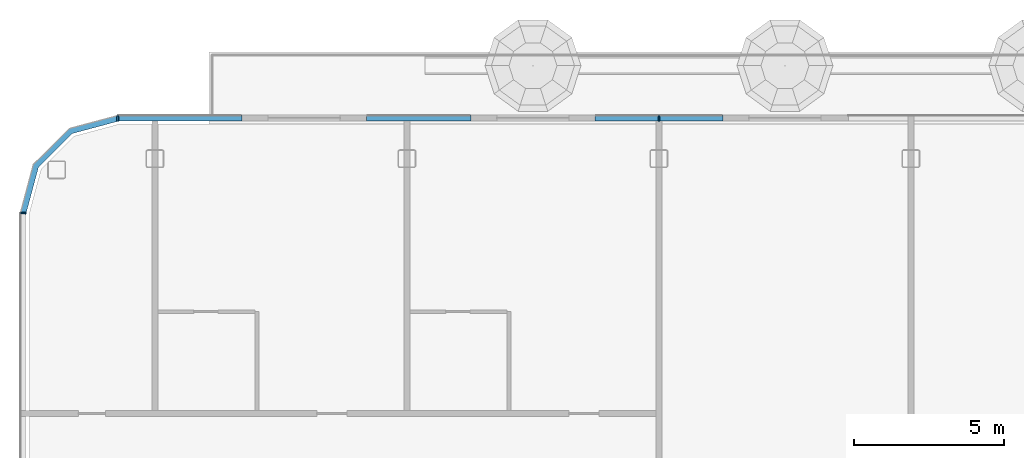
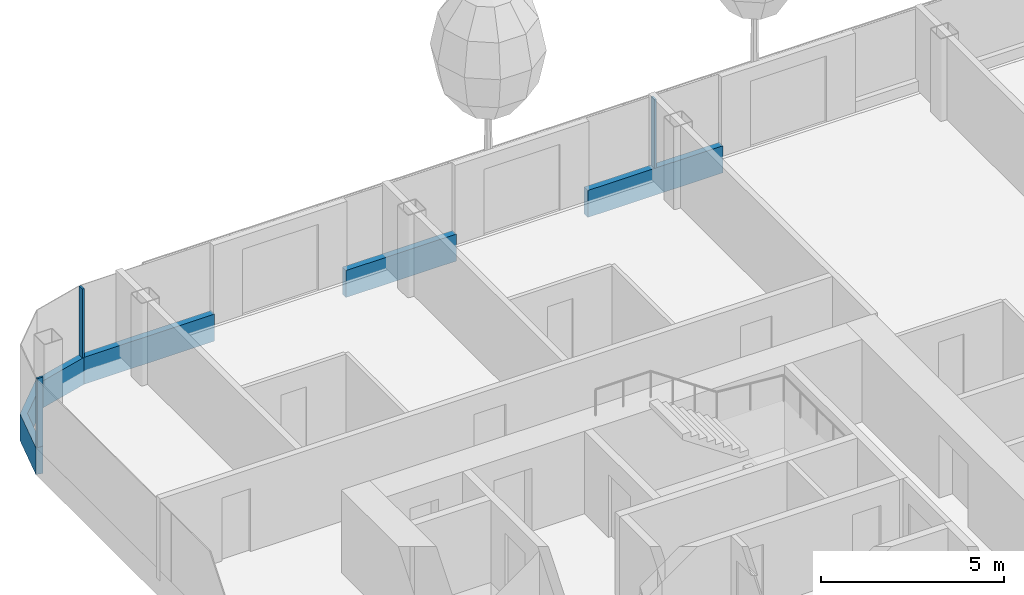
# One storey, part 5 of 28: 7 members, 3 elements without a shape of their own.
"""IFC4 building model written with IfcOpenShell, lengths in metres."""

from ifc_helpers import new_model, si_unit, direction, frame, origin, origin_2d, place, context, subcontext, project, spatial, polyline, rectangle, outline, extrude, material, layer, layer_set, material_profile, profile_set, type_object, element, aggregate, save


model = new_model("IFC4")

# Units and contexts
model_context = context("Model", 3, precision=1e-05, world=origin(), true_north=direction((0.0, 1.0)))
body_context = subcontext(model_context, "Body", "Model", "MODEL_VIEW")
ifc_project = project(units=[si_unit("LENGTHUNIT", "METRE"), si_unit("AREAUNIT", "SQUARE_METRE"), si_unit("VOLUMEUNIT", "CUBIC_METRE"), si_unit("PLANEANGLEUNIT", "RADIAN"), si_unit("MASSUNIT", "GRAM", prefix="KILO")], contexts=[model_context])

# Site, building, storey
site_placement = place(None, origin())
site = spatial("IfcSite", under=ifc_project, at=site_placement, CompositionType="ELEMENT")
building_placement = place(site_placement, origin())
building = spatial("IfcBuilding", under=site, at=building_placement, Name="Hakoniwa Tower and Hamabe Station Hall", CompositionType="ELEMENT")
storey_placement = place(building_placement, frame((0.0, 0.0, 218.60009765625)))
storey = spatial("IfcBuildingStorey", under=building, at=storey_placement, Name="L62", CompositionType="ELEMENT", Elevation=218.60009765625)

# Curtain wall, members
ifc_material_1 = material(Name="Dark low-e laminated glass", Category="glass")
ifc_layer = layer(ifc_material_1, 0.199951171875)
ifc_layer_set = layer_set([ifc_layer], Name="CW-1 UNITISED GUEST")
curtain_wall_type = type_object("IfcCurtainWallType", Name="CW-1 UNITISED GUEST", PredefinedType="NOTDEFINED", material=ifc_layer_set)
curtain_wall_1_placement = place(storey_placement, origin())
curtain_wall_1 = element("IfcCurtainWall", 1, at=curtain_wall_1_placement, inside=storey, type_object=curtain_wall_type, Name="CW-1 curtain wall", PredefinedType="NOTDEFINED")
ifc_material_2 = material(Name="Aluminium 6063-T5 black anodised", Category="aluminium")
ifc_material_profile_1 = material_profile(ifc_material_2, rectangle(XDim=0.199951171875, YDim=0.89990234375, at=origin_2d()), Name="CW SLAB-EDGE BAND 900X200")
ifc_profile_set_1 = profile_set([ifc_material_profile_1], Name="Aluminium 6063-T5 black anodised")
member_type_1 = type_object("IfcMemberType", Name="CW SLAB-EDGE BAND 900X200", PredefinedType="USERDEFINED", material=ifc_profile_set_1)
member_1_placement = place(storey_placement, frame((-14.669921875, 20.449951171875, -0.10009765625), z_axis=(-1.0, 0.0, 0.0), x_axis=(0.0, -1.0, 0.0)))
member_1 = element("IfcMember", 2, at=member_1_placement, type_object=member_type_1, Name="CW-1 transom", ObjectType="TRANSOM", PredefinedType="USERDEFINED", context=body_context, shape_type="SweptSolid", body=[
    extrude(rectangle(XDim=0.199951171875, YDim=0.89990234375, at=origin_2d()), origin(), (0.0, 0.0, 1.0), 4.260009765625),
])
member_2_placement = place(storey_placement, frame((-23.070068359375, 20.449951171875, -0.10009765625), z_axis=(-1.0, 0.0, 0.0), x_axis=(0.0, -1.0, 0.0)))
member_2 = element("IfcMember", 3, at=member_2_placement, type_object=member_type_1, Name="CW-1 transom", ObjectType="TRANSOM", PredefinedType="USERDEFINED", context=body_context, shape_type="SweptSolid", body=[
    extrude(rectangle(XDim=0.199951171875, YDim=0.89990234375, at=origin_2d()), origin(), (0.0, 0.0, 1.0), 3.48486328125),
])
member_3_placement = place(storey_placement, frame((-30.695068359375, 20.449951171875, -0.10009765625), z_axis=(-1.0, 0.0, 0.0), x_axis=(0.0, -1.0, 0.0)))
member_3 = element("IfcMember", 4, at=member_3_placement, type_object=member_type_1, Name="CW-1 transom", ObjectType="TRANSOM", PredefinedType="USERDEFINED", context=body_context, shape_type="SweptSolid", body=[
    extrude(rectangle(XDim=0.199951171875, YDim=0.89990234375, at=origin_2d()), origin(), (0.0, 0.0, 1.0), 4.14453125),
])

# Curtain wall, member
curtain_wall_2_placement = place(storey_placement, origin())
curtain_wall_2 = element("IfcCurtainWall", 5, at=curtain_wall_2_placement, inside=storey, type_object=curtain_wall_type, Name="CW-1 curtain wall", PredefinedType="NOTDEFINED")
member_4_placement = place(storey_placement, frame((0.0, 0.0, -0.550048828125)))
member_4 = element("IfcMember", 6, at=member_4_placement, type_object=member_type_1, Name="CW-1 transom", ObjectType="TRANSOM", PredefinedType="USERDEFINED", context=body_context, shape_type="SweptSolid", body=[
    extrude(outline(polyline([(-34.839599609375, 20.550048828125), (-36.455322265625, 20.116943359375), (-37.6669921875, 18.9052734375), (-38.10009765625, 17.28955078125), (-37.90673828125, 17.23779296875), (-37.48779296875, 18.8017578125), (-36.351806640625, 19.937744140625), (-34.787841796875, 20.35693359375), (-34.839599609375, 20.550048828125)])), origin(), (0.0, 0.0, 1.0), 0.89990234375),
])
aggregate(curtain_wall_2, [member_4])

# Member
ifc_material_3 = material(Name="Aluminium 6063-T5 black anodised", Category="aluminium")
ifc_material_profile_2 = material_profile(ifc_material_3, rectangle(XDim=0.06005859375, YDim=0.179931640625, at=origin_2d()), Name="CW-1 MULLION 60X180")
ifc_profile_set_2 = profile_set([ifc_material_profile_2], Name="Aluminium 6063-T5 black anodised")
member_type_2 = type_object("IfcMemberType", Name="CW-1 MULLION 60X180", PredefinedType="MULLION", material=ifc_profile_set_2)
member_5_placement = place(storey_placement, frame((-16.800048828125, 20.431884765625, 0.349853515625), z_axis=(0.0, 0.0, 1.0), x_axis=(-1.0, 0.0, 0.0)))
member_5 = element("IfcMember", 7, at=member_5_placement, type_object=member_type_2, Name="CW-1 mullion", PredefinedType="MULLION", context=body_context, shape_type="SweptSolid", body=[
    extrude(rectangle(XDim=0.06005859375, YDim=0.179931640625, at=origin_2d()), origin(), (0.0, 0.0, 1.0), 2.300048828125),
])

member_6_placement = place(storey_placement, frame((-34.839599609375, 20.431884765625, 0.349853515625), z_axis=(0.0, 0.0, 1.0), x_axis=(-1.0, 0.0, 0.0)))
member_6 = element("IfcMember", 8, at=member_6_placement, type_object=member_type_2, Name="CW-1 mullion", PredefinedType="MULLION", context=body_context, shape_type="SweptSolid", body=[
    extrude(rectangle(XDim=0.06005859375, YDim=0.179931640625, at=origin_2d()), origin(), (0.0, 0.0, 1.0), 2.300048828125),
])

aggregate(curtain_wall_1, [member_5, member_6, member_1, member_2, member_3])

# Curtain wall, member
curtain_wall_3_placement = place(storey_placement, origin())
curtain_wall_3 = element("IfcCurtainWall", 9, at=curtain_wall_3_placement, inside=storey, type_object=curtain_wall_type, Name="CW-1 curtain wall", PredefinedType="NOTDEFINED")
member_7_placement = place(storey_placement, frame((-37.98193359375, 17.28955078125, 0.349853515625), z_axis=(0.0, 0.0, 1.0), x_axis=(0.0, -1.0, 0.0)))
member_7 = element("IfcMember", 10, at=member_7_placement, type_object=member_type_2, Name="CW-1 mullion", PredefinedType="MULLION", context=body_context, shape_type="SweptSolid", body=[
    extrude(rectangle(XDim=0.06005859375, YDim=0.179931640625, at=origin_2d()), origin(), (0.0, 0.0, 1.0), 2.300048828125),
])
aggregate(curtain_wall_3, [member_7])

save(model, "model.ifc")
